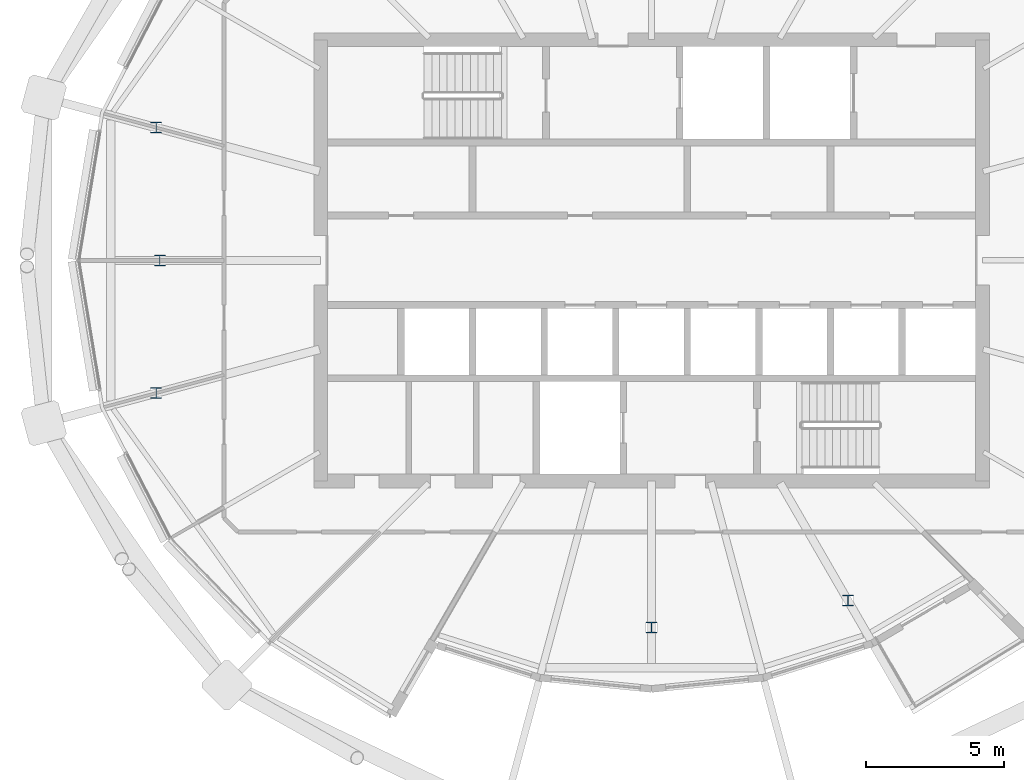
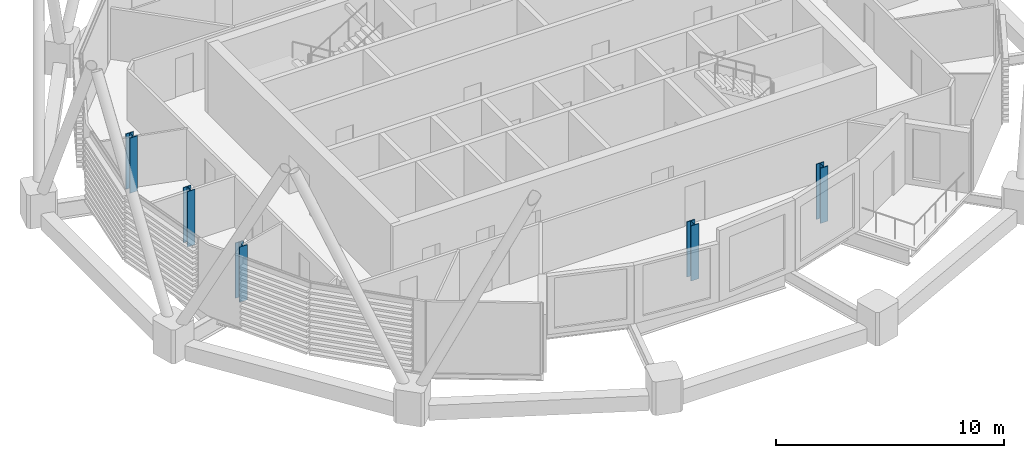
# One storey, part 1 of 34: 5 columns.
"""IFC4 building model written with IfcOpenShell, lengths in metres."""

from ifc_helpers import new_model, si_unit, direction, frame, origin, origin_2d, place, context, subcontext, project, spatial, i_section, extrude, material, material_profile, profile_set, type_object, element, save


model = new_model("IFC4")

# Units and contexts
model_context = context("Model", 3, precision=1e-05, world=origin(), true_north=direction((0.0, 1.0)))
body_context = subcontext(model_context, "Body", "Model", "MODEL_VIEW")
ifc_project = project(units=[si_unit("LENGTHUNIT", "METRE"), si_unit("AREAUNIT", "SQUARE_METRE"), si_unit("VOLUMEUNIT", "CUBIC_METRE"), si_unit("PLANEANGLEUNIT", "RADIAN"), si_unit("MASSUNIT", "GRAM", prefix="KILO")], contexts=[model_context])

# Site, building, storey
site_placement = place(None, origin())
site = spatial("IfcSite", under=ifc_project, at=site_placement, CompositionType="ELEMENT")
building_placement = place(site_placement, origin())
building = spatial("IfcBuilding", under=site, at=building_placement, Name="Rimbun Link Towers", CompositionType="ELEMENT")
storey_placement = place(building_placement, frame((0.0, 0.0, 221.89990234375)))
storey = spatial("IfcBuildingStorey", under=building, at=storey_placement, Name="L54", CompositionType="ELEMENT", Elevation=221.89990234375)

# Columns
ifc_material = material(Name="Steel S355J2", Category="steel")
ifc_material_profile = material_profile(ifc_material, i_section(OverallWidth=0.39892578125, OverallDepth=0.3935546875, WebThickness=0.022705078125, FlangeThickness=0.03662109375, at=origin_2d()), Name="UC 356x406x287")
ifc_profile_set = profile_set([ifc_material_profile], Name="Steel S355J2")
column_type = type_object("IfcColumnType", Name="UC 356x406x287", PredefinedType="COLUMN", material=ifc_profile_set)
for number, where, z_axis, x_axis, name in (
    (1, (-49.718505859375, 4.814697265625, -0.139892578125), (0.0, 0.0, 1.0), (1.0, 0.0, 0.0), "Crease post T1 L54 11"),
    (2, (-49.583251953125, 0.0, -0.139892578125), (0.0, 0.0, 1.0), (1.0, 0.0, 0.0), "Crease post T1 L54 12"),
    (3, (-49.718505859375, -4.814697265625, -0.139892578125), (0.0, 0.0, 1.0), (1.0, 0.0, 0.0), "Crease post T1 L54 13"),
    (4, (-31.75, -13.320556640625, -0.139892578125), (0.0, 0.0, 1.0), (1.0, 0.0, 0.0), "Crease post T1 L54 18"),
    (5, (-24.626708984375, -12.337890625, -0.139892578125), (0.0, 0.0, 1.0), (1.0, 0.0, 0.0), "Crease post T1 L54 20"),
):
    element("IfcColumn", number, at=place(storey_placement, frame(where, z_axis=z_axis, x_axis=x_axis)), inside=storey, type_object=column_type, Name=name, PredefinedType="COLUMN", context=body_context, shape_type="SweptSolid", body=[
        extrude(i_section(OverallWidth=0.39892578125, OverallDepth=0.3935546875, WebThickness=0.022705078125, FlangeThickness=0.03662109375, at=origin_2d()), origin(), (0.0, 0.0, 1.0), 2.959228515625),
    ])

save(model, "model.ifc")
